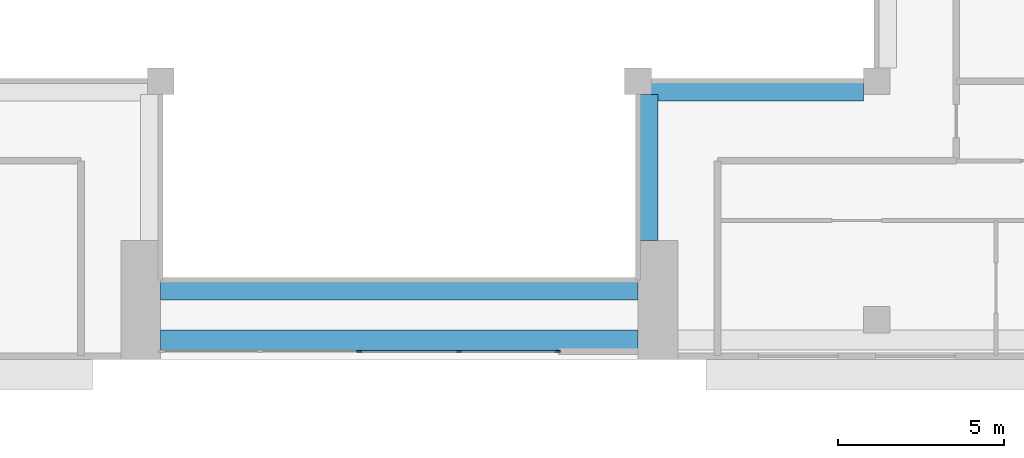
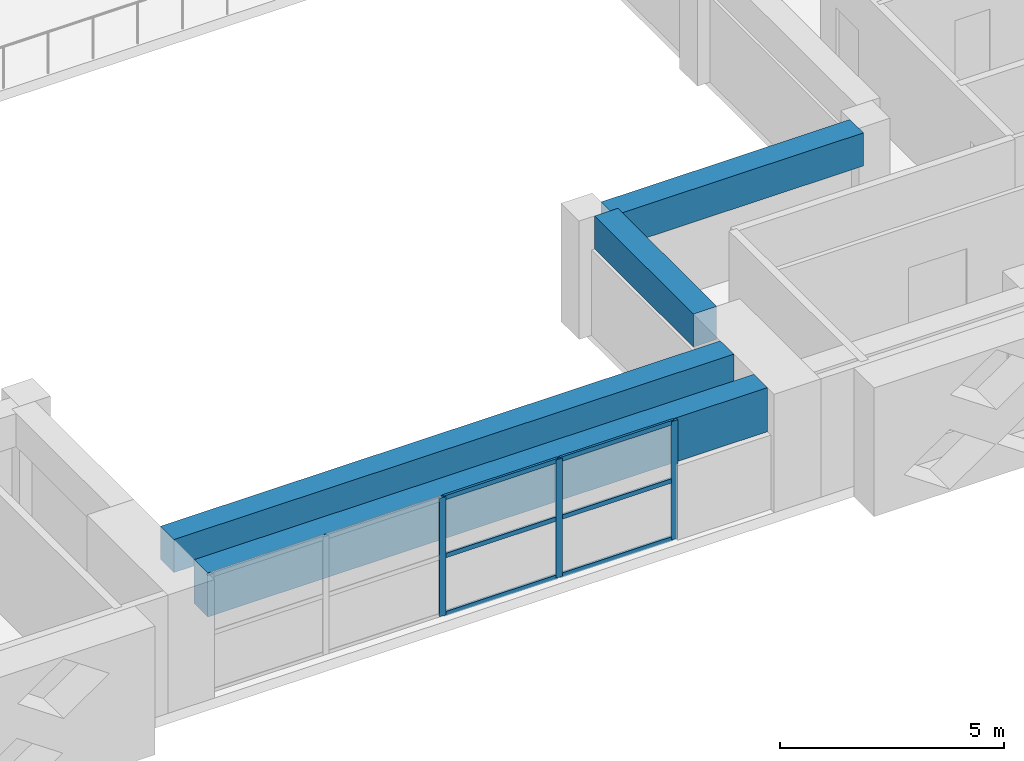
# One storey, part 4 of 19: 9 members, 4 beams, 1 element without a shape of its own.
"""IFC4 building model written with IfcOpenShell, lengths in metres."""

from ifc_helpers import new_model, si_unit, direction, frame, origin, origin_2d, place, context, subcontext, project, spatial, rectangle, extrude, source, transform, mapped, material, layer, layer_set, material_profile, profile_set, type_object, element, aggregate, save


model = new_model("IFC4")

# Units and contexts
model_context = context("Model", 3, precision=1e-05, world=origin(), true_north=direction((0.0, 1.0)))
body_context = subcontext(model_context, "Body", "Model", "MODEL_VIEW")
ifc_project = project(units=[si_unit("LENGTHUNIT", "METRE"), si_unit("AREAUNIT", "SQUARE_METRE"), si_unit("VOLUMEUNIT", "CUBIC_METRE"), si_unit("PLANEANGLEUNIT", "RADIAN"), si_unit("MASSUNIT", "GRAM", prefix="KILO")], contexts=[model_context])

# Site, building, storey
site_placement = place(None, origin())
site = spatial("IfcSite", under=ifc_project, at=site_placement, CompositionType="ELEMENT")
building_placement = place(site_placement, origin())
building = spatial("IfcBuilding", under=site, at=building_placement, Name="Saffron Iwan Residences", CompositionType="ELEMENT")
storey_placement = place(building_placement, frame((0.0, 0.0, 243.0)))
storey = spatial("IfcBuildingStorey", under=building, at=storey_placement, Name="L65", CompositionType="ELEMENT", Elevation=243.0)

# Beams
ifc_material_1 = material(Name="Concrete C40/50", Category="concrete")
ifc_material_profile_1 = material_profile(ifc_material_1, rectangle(XDim=0.60009765625, YDim=1.199951171875, at=origin_2d()), Name="RC 600x1200")
ifc_profile_set_1 = profile_set([ifc_material_profile_1], Name="Concrete C40/50")
beam_type_1 = type_object("IfcBeamType", Name="LINTEL BEAM RC 600x1200 C40/50 TOP 3220", PredefinedType="LINTEL", material=ifc_profile_set_1)
shared_shape_1 = source(origin(), body_context, "Body", "SweptSolid", [
    extrude(rectangle(XDim=0.60009765625, YDim=1.199951171875, at=origin_2d()), origin(), (0.0, 0.0, 1.0), 14.400146484375),
])
beam_1_placement = place(storey_placement, frame((57.60009765625, 40.199951171875, 2.6201171875), z_axis=(-1.0, 0.0, 0.0), x_axis=(0.0, -1.0, 0.0)))
element("IfcBeam", 1, at=beam_1_placement, inside=storey, type_object=beam_type_1, Name="Lintel beam over the iwan", PredefinedType="LINTEL", context=body_context, shape_type="MappedRepresentation", body=[
    mapped(shared_shape_1, transform((0.0, 0.0, 0.0))),
])
ifc_material_profile_2 = material_profile(ifc_material_1, rectangle(XDim=0.60009765625, YDim=0.89990234375, at=origin_2d()), Name="RC 600x900")
ifc_profile_set_2 = profile_set([ifc_material_profile_2], Name="Concrete C40/50")
beam_type_2 = type_object("IfcBeamType", Name="BEAM RC 600x900 C40/50 TOP 3220", PredefinedType="BEAM", material=ifc_profile_set_2)
shared_shape_2 = source(origin(), body_context, "Body", "SweptSolid", [
    extrude(rectangle(XDim=0.60009765625, YDim=0.89990234375, at=origin_2d()), origin(), (0.0, 0.0, 1.0), 14.400146484375),
])
beam_2_placement = place(storey_placement, frame((57.60009765625, 41.699951171875, 2.77001953125), z_axis=(-1.0, 0.0, 0.0), x_axis=(0.0, -1.0, 0.0)))
element("IfcBeam", 2, at=beam_2_placement, inside=storey, type_object=beam_type_2, Name="Atrium edge beam", PredefinedType="BEAM", context=body_context, shape_type="MappedRepresentation", body=[
    mapped(shared_shape_2, transform((0.0, 0.0, 0.0))),
])
shared_shape_3 = source(origin(), body_context, "Body", "SweptSolid", [
    extrude(rectangle(XDim=0.60009765625, YDim=0.89990234375, at=origin_2d()), origin(), (0.0, 0.0, 1.0), 4.400146484375),
])
beam_3_placement = place(storey_placement, frame((57.89990234375, 47.60009765625, 2.77001953125), z_axis=(0.0, -1.0, 0.0), x_axis=(1.0, 0.0, 0.0)))
element("IfcBeam", 3, at=beam_3_placement, inside=storey, type_object=beam_type_2, Name="Atrium edge beam", PredefinedType="BEAM", context=body_context, shape_type="MappedRepresentation", body=[
    mapped(shared_shape_3, transform((0.0, 0.0, 0.0))),
])
shared_shape_4 = source(origin(), body_context, "Body", "SweptSolid", [
    extrude(rectangle(XDim=0.60009765625, YDim=0.89990234375, at=origin_2d()), origin(), (0.0, 0.0, 1.0), 6.39990234375),
])
beam_4_placement = place(storey_placement, frame((64.39990234375, 47.699951171875, 2.77001953125), z_axis=(-1.0, 0.0, 0.0), x_axis=(0.0, -1.0, 0.0)))
element("IfcBeam", 4, at=beam_4_placement, inside=storey, type_object=beam_type_2, Name="Atrium edge beam", PredefinedType="BEAM", context=body_context, shape_type="MappedRepresentation", body=[
    mapped(shared_shape_4, transform((0.0, 0.0, 0.0))),
])

# Curtain wall, members
ifc_material_2 = material(Name="Clear glass, laminated double glazed", Category="glass")
ifc_layer = layer(ifc_material_2, 0.199951171875)
ifc_layer_set = layer_set([ifc_layer], Name="Clear glass, laminated double glazed")
curtain_wall_type = type_object("IfcCurtainWallType", Name="CW-B IWAN PORTAL", PredefinedType="NOTDEFINED", material=ifc_layer_set)
curtain_wall_placement = place(storey_placement, origin())
curtain_wall = element("IfcCurtainWall", 5, at=curtain_wall_placement, inside=storey, type_object=curtain_wall_type, Name="Iwan portal glazing L65.1", PredefinedType="NOTDEFINED")
ifc_material_3 = material(Name="Aluminium 6063-T6", Category="aluminium")
ifc_material_profile_3 = material_profile(ifc_material_3, rectangle(XDim=0.06005859375, YDim=0.1201171875, at=origin_2d()), Name="CW-B TRANSOM 60 x 120")
ifc_profile_set_3 = profile_set([ifc_material_profile_3], Name="Aluminium 6063-T6")
member_type_1 = type_object("IfcMemberType", Name="CW-B TRANSOM 60 x 120", PredefinedType="USERDEFINED", material=ifc_profile_set_3)
shared_shape_5 = source(origin(), body_context, "Body", "SweptSolid", [
    extrude(rectangle(XDim=0.06005859375, YDim=0.1201171875, at=origin_2d()), origin(), (0.0, 0.0, 1.0), 2.909912109375),
])
member_1_placement = place(storey_placement, frame((52.22998046875, 39.85009765625, 0.030029296875), z_axis=(1.0, 0.0, 0.0), x_axis=(0.0, 1.0, 0.0)))
member_1 = element("IfcMember", 6, at=member_1_placement, type_object=member_type_1, Name="CW-B transom 4.1", ObjectType="TRANSOM", PredefinedType="USERDEFINED", context=body_context, shape_type="MappedRepresentation", body=[
    mapped(shared_shape_5, transform((0.0, 0.0, 0.0))),
])
member_2_placement = place(storey_placement, frame((52.22998046875, 39.85009765625, 1.610107421875), z_axis=(1.0, 0.0, 0.0), x_axis=(0.0, 1.0, 0.0)))
member_2 = element("IfcMember", 7, at=member_2_placement, type_object=member_type_1, Name="CW-B transom 4.2", ObjectType="TRANSOM", PredefinedType="USERDEFINED", context=body_context, shape_type="MappedRepresentation", body=[
    mapped(shared_shape_5, transform((0.0, 0.0, 0.0))),
])
member_3_placement = place(storey_placement, frame((52.22998046875, 39.85009765625, 3.18994140625), z_axis=(1.0, 0.0, 0.0), x_axis=(0.0, 1.0, 0.0)))
member_3 = element("IfcMember", 8, at=member_3_placement, type_object=member_type_1, Name="CW-B transom 4.3", ObjectType="TRANSOM", PredefinedType="USERDEFINED", context=body_context, shape_type="MappedRepresentation", body=[
    mapped(shared_shape_5, transform((0.0, 0.0, 0.0))),
])
shared_shape_6 = source(origin(), body_context, "Body", "SweptSolid", [
    extrude(rectangle(XDim=0.06005859375, YDim=0.1201171875, at=origin_2d()), origin(), (0.0, 0.0, 1.0), 2.93994140625),
])
member_4_placement = place(storey_placement, frame((49.22998046875, 39.85009765625, 0.030029296875), z_axis=(1.0, 0.0, 0.0), x_axis=(0.0, 1.0, 0.0)))
member_4 = element("IfcMember", 9, at=member_4_placement, type_object=member_type_1, Name="CW-B transom 3.1", ObjectType="TRANSOM", PredefinedType="USERDEFINED", context=body_context, shape_type="MappedRepresentation", body=[
    mapped(shared_shape_6, transform((0.0, 0.0, 0.0))),
])
member_5_placement = place(storey_placement, frame((49.22998046875, 39.85009765625, 1.610107421875), z_axis=(1.0, 0.0, 0.0), x_axis=(0.0, 1.0, 0.0)))
member_5 = element("IfcMember", 10, at=member_5_placement, type_object=member_type_1, Name="CW-B transom 3.2", ObjectType="TRANSOM", PredefinedType="USERDEFINED", context=body_context, shape_type="MappedRepresentation", body=[
    mapped(shared_shape_6, transform((0.0, 0.0, 0.0))),
])
member_6_placement = place(storey_placement, frame((49.22998046875, 39.85009765625, 3.18994140625), z_axis=(1.0, 0.0, 0.0), x_axis=(0.0, 1.0, 0.0)))
member_6 = element("IfcMember", 11, at=member_6_placement, type_object=member_type_1, Name="CW-B transom 3.3", ObjectType="TRANSOM", PredefinedType="USERDEFINED", context=body_context, shape_type="MappedRepresentation", body=[
    mapped(shared_shape_6, transform((0.0, 0.0, 0.0))),
])
ifc_material_profile_4 = material_profile(ifc_material_3, rectangle(XDim=0.06005859375, YDim=0.159912109375, at=origin_2d()), Name="CW-B MULLION 60 x 160")
ifc_profile_set_4 = profile_set([ifc_material_profile_4], Name="Aluminium 6063-T6")
member_type_2 = type_object("IfcMemberType", Name="CW-B MULLION 60 x 160", PredefinedType="MULLION", material=ifc_profile_set_4)
shared_shape_7 = source(origin(), body_context, "Body", "SweptSolid", [
    extrude(rectangle(XDim=0.06005859375, YDim=0.159912109375, at=origin_2d()), origin(), (0.0, 0.0, 1.0), 3.219970703125),
])
member_7_placement = place(storey_placement, frame((49.199951171875, 39.85009765625, 0.0), z_axis=(0.0, 0.0, 1.0), x_axis=(0.0, 1.0, 0.0)))
member_7 = element("IfcMember", 12, at=member_7_placement, type_object=member_type_2, Name="CW-B mullion 3", PredefinedType="MULLION", context=body_context, shape_type="MappedRepresentation", body=[
    mapped(shared_shape_7, transform((0.0, 0.0, 0.0))),
])
member_8_placement = place(storey_placement, frame((52.199951171875, 39.85009765625, 0.0), z_axis=(0.0, 0.0, 1.0), x_axis=(0.0, 1.0, 0.0)))
member_8 = element("IfcMember", 13, at=member_8_placement, type_object=member_type_2, Name="CW-B mullion 4", PredefinedType="MULLION", context=body_context, shape_type="MappedRepresentation", body=[
    mapped(shared_shape_7, transform((0.0, 0.0, 0.0))),
])
member_9_placement = place(storey_placement, frame((55.169921875, 39.85009765625, 0.0), z_axis=(0.0, 0.0, 1.0), x_axis=(0.0, 1.0, 0.0)))
member_9 = element("IfcMember", 14, at=member_9_placement, type_object=member_type_2, Name="CW-B mullion 5", PredefinedType="MULLION", context=body_context, shape_type="MappedRepresentation", body=[
    mapped(shared_shape_7, transform((0.0, 0.0, 0.0))),
])
aggregate(curtain_wall, [member_7, member_8, member_9, member_4, member_5, member_6, member_1, member_2, member_3])

save(model, "model.ifc")
